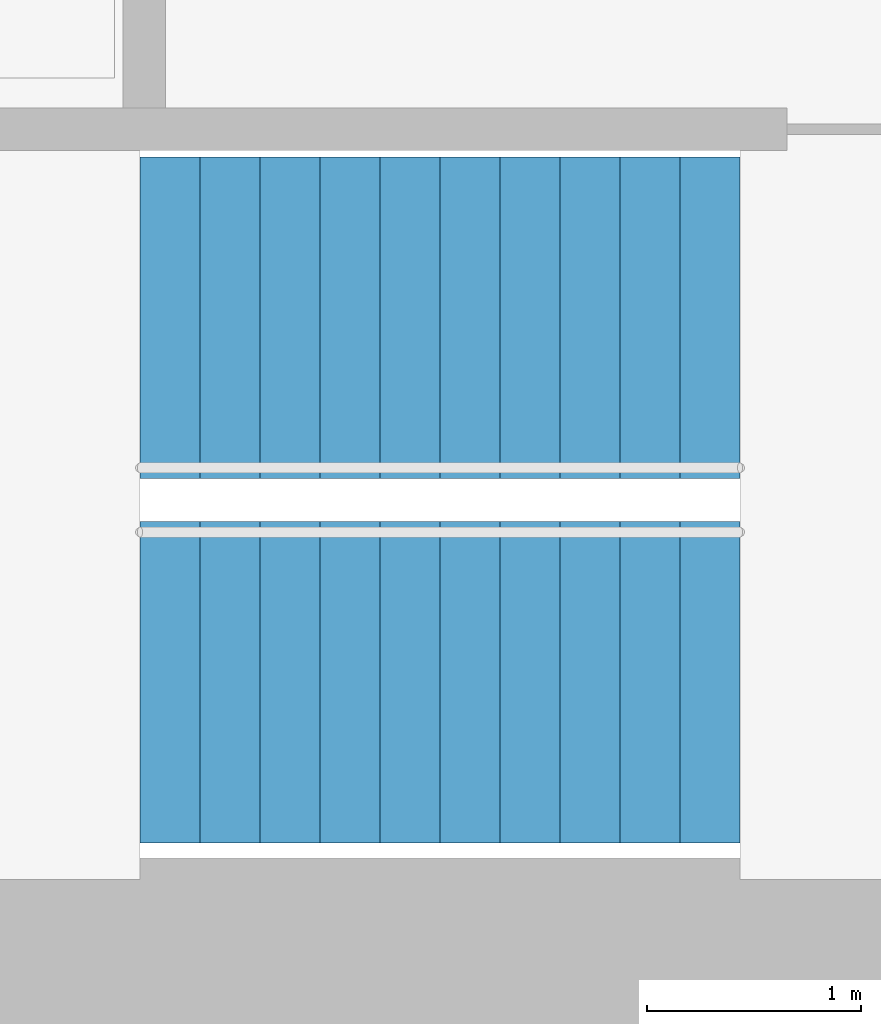
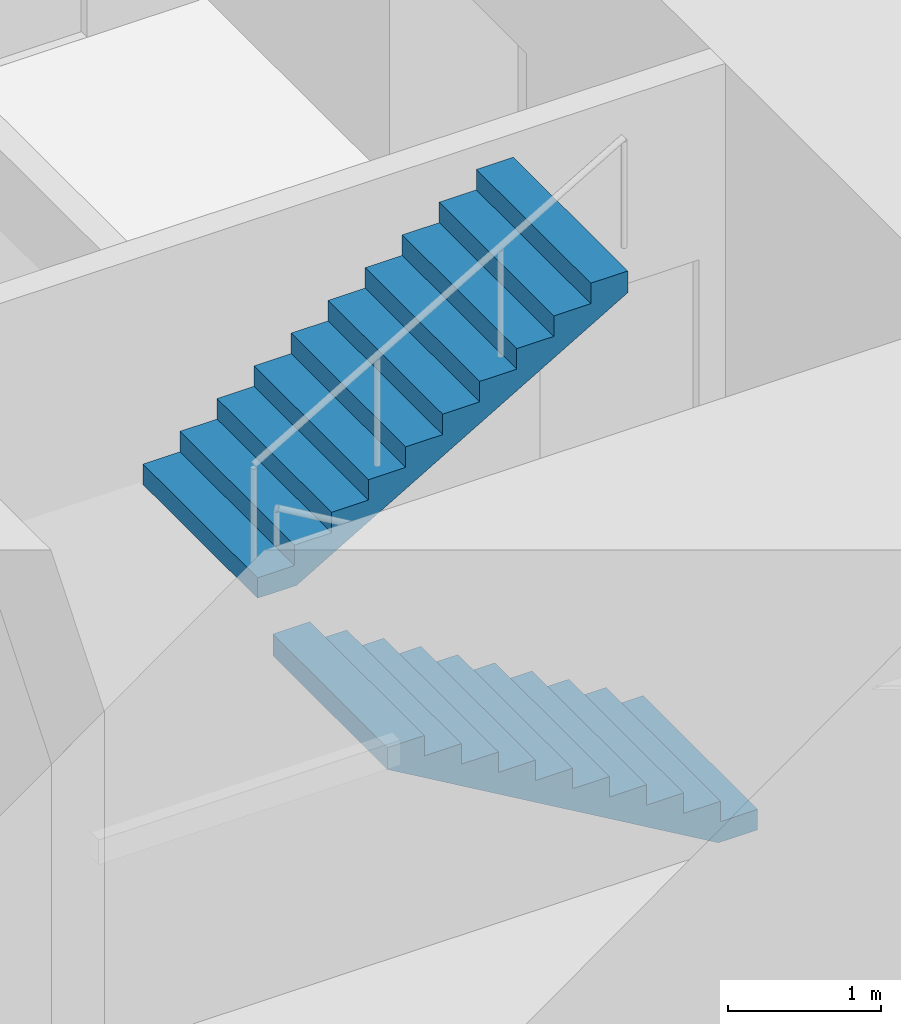
# One storey, part 14 of 15: 2 stair flights, 1 element without a shape of its own.
"""IFC4 building model written with IfcOpenShell, lengths in metres."""

from ifc_helpers import new_model, si_unit, direction, frame, origin, place, context, subcontext, project, spatial, triangles, material, type_object, element, aggregate, save


model = new_model("IFC4")

# Units and contexts
model_context = context("Model", 3, precision=1e-05, world=origin(), true_north=direction((0.0, 1.0)))
body_context = subcontext(model_context, "Body", "Model", "MODEL_VIEW")
ifc_project = project(units=[si_unit("LENGTHUNIT", "METRE"), si_unit("AREAUNIT", "SQUARE_METRE"), si_unit("VOLUMEUNIT", "CUBIC_METRE"), si_unit("PLANEANGLEUNIT", "RADIAN"), si_unit("MASSUNIT", "GRAM", prefix="KILO")], contexts=[model_context])

# Site, building, storey
site_placement = place(None, origin())
site = spatial("IfcSite", under=ifc_project, at=site_placement, CompositionType="ELEMENT")
building_placement = place(site_placement, origin())
building = spatial("IfcBuilding", under=site, at=building_placement, Name="Lantaw Convention Tower", CompositionType="ELEMENT")
storey_placement = place(building_placement, frame((0.0, 0.0, 87.39990234375)))
storey = spatial("IfcBuildingStorey", under=building, at=storey_placement, Name="L20", CompositionType="ELEMENT", Elevation=87.39990234375)

# Stair, stair flights
ifc_material = material(Name="Concrete C35/45", Category="concrete")
stair_type = type_object("IfcStairType", Name="Exit stair 1500 riser 163.64 in 2 flights", PredefinedType="HALF_TURN_STAIR", material=ifc_material)
stair_placement = place(storey_placement, origin())
stair = element("IfcStair", 1, at=stair_placement, inside=storey, type_object=stair_type, Name="Exit stair S2 L20", PredefinedType="HALF_TURN_STAIR")
stair_flight_type = type_object("IfcStairFlightType", Name="Stair flight 1500 riser 163.64", PredefinedType="STRAIGHT", material=ifc_material)
stair_flight_1_placement = place(storey_placement, frame((10.580078125, -5.97998046875, 0.0), z_axis=(0.0, 0.0, 1.0), x_axis=(-1.0, 0.0, 0.0)))
stair_flight_1 = element("IfcStairFlight", 2, at=stair_flight_1_placement, type_object=stair_flight_type, Name="S2 flight 1", NumberOfRisers=11, NumberOfTreads=10, PredefinedType="STRAIGHT", RiserHeight=0.163636364, TreadLength=0.28, context=body_context, shape_type="Tessellation", body=[
    triangles([(0.0, 0.75, 0.0), (0.0, 0.75, 0.163636364), (0.28, 0.75, 0.0), (0.28, 0.75, 0.163636364), (0.28, 0.75, 0.327272728), (0.2970904571225277, 0.75, 0.0), (0.2970904571225277, 0.75, 0.327272728), (0.56, 0.75, 0.1536484344906131), (0.56, 0.75, 0.327272728), (0.56, 0.75, 0.490909092), (0.8400000000000001, 0.75, 0.3172847984906131), (0.8400000000000001, 0.75, 0.490909092), (0.8400000000000001, 0.75, 0.654545456), (1.12, 0.75, 0.4809211624906131), (1.12, 0.75, 0.654545456), (1.12, 0.75, 0.8181818200000001), (1.4000000000000001, 0.75, 0.6445575264906132), (1.4000000000000001, 0.75, 0.8181818200000001), (1.4000000000000001, 0.75, 0.981818184), (1.6800000000000002, 0.75, 0.8081938904906131), (1.6800000000000002, 0.75, 0.981818184), (1.6800000000000002, 0.75, 1.145454548), (1.9600000000000002, 0.75, 0.9718302544906131), (1.9600000000000002, 0.75, 1.145454548), (1.9600000000000002, 0.75, 1.309090912), (2.24, 0.75, 1.135466618490613), (2.24, 0.75, 1.309090912), (2.24, 0.75, 1.472727276), (2.5200000000000005, 0.75, 1.2991029824906133), (2.5200000000000005, 0.75, 1.472727276), (2.5200000000000005, 0.75, 1.6363636400000001), (2.8000000000000003, 0.75, 1.462739346490613), (2.8000000000000003, 0.75, 1.6363636400000001), (0.0, -0.75, 0.0), (0.0, -0.75, 0.163636364), (0.28, -0.75, 0.0), (0.28, -0.75, 0.163636364), (0.28, -0.75, 0.327272728), (0.2970904571225277, -0.75, 0.0), (0.2970904571225277, -0.75, 0.327272728), (0.56, -0.75, 0.1536484344906131), (0.56, -0.75, 0.327272728), (0.56, -0.75, 0.490909092), (0.8400000000000001, -0.75, 0.3172847984906131), (0.8400000000000001, -0.75, 0.490909092), (0.8400000000000001, -0.75, 0.654545456), (1.12, -0.75, 0.4809211624906131), (1.12, -0.75, 0.654545456), (1.12, -0.75, 0.8181818200000001), (1.4000000000000001, -0.75, 0.6445575264906132), (1.4000000000000001, -0.75, 0.8181818200000001), (1.4000000000000001, -0.75, 0.981818184), (1.6800000000000002, -0.75, 0.8081938904906131), (1.6800000000000002, -0.75, 0.981818184), (1.6800000000000002, -0.75, 1.145454548), (1.9600000000000002, -0.75, 0.9718302544906131), (1.9600000000000002, -0.75, 1.145454548), (1.9600000000000002, -0.75, 1.309090912), (2.24, -0.75, 1.135466618490613), (2.24, -0.75, 1.309090912), (2.24, -0.75, 1.472727276), (2.5200000000000005, -0.75, 1.2991029824906133), (2.5200000000000005, -0.75, 1.472727276), (2.5200000000000005, -0.75, 1.6363636400000001), (2.8000000000000003, -0.75, 1.462739346490613), (2.8000000000000003, -0.75, 1.6363636400000001), (0.0, 0.15000000000000002, 0.163636364), (0.0, 0.15000000000000002, 0.0), (0.0, 0.0, 0.163636364), (0.0, 0.0, 0.0), (0.0, -0.15000000000000002, 0.163636364), (0.0, -0.15000000000000002, 0.0), (0.28, 0.15000000000000002, 0.327272728), (0.28, 0.15000000000000002, 0.163636364), (0.28, 0.0, 0.327272728), (0.28, 0.0, 0.163636364), (0.28, -0.15000000000000002, 0.327272728), (0.28, -0.15000000000000002, 0.163636364), (0.56, 0.15000000000000002, 0.490909092), (0.56, 0.15000000000000002, 0.327272728), (0.56, 0.0, 0.490909092), (0.56, 0.0, 0.327272728), (0.56, -0.15000000000000002, 0.490909092), (0.56, -0.15000000000000002, 0.327272728), (0.8400000000000001, 0.15000000000000002, 0.654545456), (0.8400000000000001, 0.15000000000000002, 0.490909092), (0.8400000000000001, 0.0, 0.654545456), (0.8400000000000001, 0.0, 0.490909092), (0.8400000000000001, -0.15000000000000002, 0.654545456), (0.8400000000000001, -0.15000000000000002, 0.490909092), (1.12, 0.15000000000000002, 0.8181818200000001), (1.12, 0.15000000000000002, 0.654545456), (1.12, 0.0, 0.8181818200000001), (1.12, 0.0, 0.654545456), (1.12, -0.15000000000000002, 0.8181818200000001), (1.12, -0.15000000000000002, 0.654545456), (1.4000000000000001, 0.15000000000000002, 0.981818184), (1.4000000000000001, 0.15000000000000002, 0.8181818200000001), (1.4000000000000001, 0.0, 0.981818184), (1.4000000000000001, 0.0, 0.8181818200000001), (1.4000000000000001, -0.15000000000000002, 0.981818184), (1.4000000000000001, -0.15000000000000002, 0.8181818200000001), (1.6800000000000002, 0.15000000000000002, 1.145454548), (1.6800000000000002, 0.15000000000000002, 0.981818184), (1.6800000000000002, 0.0, 1.145454548), (1.6800000000000002, 0.0, 0.981818184), (1.6800000000000002, -0.15000000000000002, 1.145454548), (1.6800000000000002, -0.15000000000000002, 0.981818184), (1.9600000000000002, 0.15000000000000002, 1.309090912), (1.9600000000000002, 0.15000000000000002, 1.145454548), (1.9600000000000002, 0.0, 1.309090912), (1.9600000000000002, 0.0, 1.145454548), (1.9600000000000002, -0.15000000000000002, 1.309090912), (1.9600000000000002, -0.15000000000000002, 1.145454548), (2.24, 0.15000000000000002, 1.472727276), (2.24, 0.15000000000000002, 1.309090912), (2.24, 0.0, 1.472727276), (2.24, 0.0, 1.309090912), (2.24, -0.15000000000000002, 1.472727276), (2.24, -0.15000000000000002, 1.309090912), (2.5200000000000005, 0.15000000000000002, 1.6363636400000001), (2.5200000000000005, 0.15000000000000002, 1.472727276), (2.5200000000000005, 0.0, 1.6363636400000001), (2.5200000000000005, 0.0, 1.472727276), (2.5200000000000005, -0.15000000000000002, 1.6363636400000001), (2.5200000000000005, -0.15000000000000002, 1.472727276), (0.2970904571225277, 0.15000000000000002, 0.327272728), (0.2970904571225277, 0.0, 0.327272728), (0.2970904571225277, -0.15000000000000002, 0.327272728), (2.8000000000000003, 0.15000000000000002, 1.6363636400000001), (2.8000000000000003, 0.0, 1.6363636400000001), (2.8000000000000003, -0.15000000000000002, 1.6363636400000001), (2.8000000000000003, 0.15000000000000002, 1.462739346490613), (2.8000000000000003, 0.0, 1.462739346490613), (2.8000000000000003, -0.15000000000000002, 1.462739346490613), (2.5200000000000005, 0.15000000000000002, 1.2991029824906133), (2.5200000000000005, 0.0, 1.2991029824906133), (2.5200000000000005, -0.15000000000000002, 1.2991029824906133), (2.24, 0.15000000000000002, 1.135466618490613), (2.24, 0.0, 1.135466618490613), (2.24, -0.15000000000000002, 1.135466618490613), (1.9600000000000002, 0.15000000000000002, 0.9718302544906131), (1.9600000000000002, 0.0, 0.9718302544906131), (1.9600000000000002, -0.15000000000000002, 0.9718302544906131), (1.6800000000000002, 0.15000000000000002, 0.8081938904906131), (1.6800000000000002, 0.0, 0.8081938904906131), (1.6800000000000002, -0.15000000000000002, 0.8081938904906131), (1.4000000000000001, 0.15000000000000002, 0.6445575264906132), (1.4000000000000001, 0.0, 0.6445575264906132), (1.4000000000000001, -0.15000000000000002, 0.6445575264906132), (1.12, 0.15000000000000002, 0.4809211624906131), (1.12, 0.0, 0.4809211624906131), (1.12, -0.15000000000000002, 0.4809211624906131), (0.8400000000000001, 0.15000000000000002, 0.3172847984906131), (0.8400000000000001, 0.0, 0.3172847984906131), (0.8400000000000001, -0.15000000000000002, 0.3172847984906131), (0.56, 0.15000000000000002, 0.1536484344906131), (0.56, 0.0, 0.1536484344906131), (0.56, -0.15000000000000002, 0.1536484344906131), (0.2970904571225277, 0.15000000000000002, 0.0), (0.2970904571225277, 0.0, 0.0), (0.2970904571225277, -0.15000000000000002, 0.0), (0.28, 0.15000000000000002, 0.0), (0.28, 0.0, 0.0), (0.28, -0.15000000000000002, 0.0)], [[1, 4, 3], [1, 2, 4], [3, 4, 6], [4, 7, 6], [4, 5, 7], [6, 9, 8], [6, 7, 9], [8, 9, 11], [9, 12, 11], [9, 10, 12], [11, 12, 14], [12, 15, 14], [12, 13, 15], [14, 15, 17], [15, 18, 17], [15, 16, 18], [17, 18, 20], [18, 21, 20], [18, 19, 21], [20, 21, 23], [21, 24, 23], [21, 22, 24], [23, 24, 26], [24, 27, 26], [24, 25, 27], [26, 27, 29], [27, 30, 29], [27, 28, 30], [29, 30, 32], [30, 33, 32], [30, 31, 33], [34, 36, 37], [34, 37, 35], [36, 39, 37], [37, 39, 40], [37, 40, 38], [39, 41, 42], [39, 42, 40], [41, 44, 42], [42, 44, 45], [42, 45, 43], [44, 47, 45], [45, 47, 48], [45, 48, 46], [47, 50, 48], [48, 50, 51], [48, 51, 49], [50, 53, 51], [51, 53, 54], [51, 54, 52], [53, 56, 54], [54, 56, 57], [54, 57, 55], [56, 59, 57], [57, 59, 60], [57, 60, 58], [59, 62, 60], [60, 62, 63], [60, 63, 61], [62, 65, 63], [63, 65, 66], [63, 66, 64], [1, 67, 2], [1, 68, 67], [68, 69, 67], [68, 70, 69], [70, 71, 69], [70, 72, 71], [72, 35, 71], [72, 34, 35], [4, 73, 5], [4, 74, 73], [74, 75, 73], [74, 76, 75], [76, 77, 75], [76, 78, 77], [78, 38, 77], [78, 37, 38], [9, 79, 10], [9, 80, 79], [80, 81, 79], [80, 82, 81], [82, 83, 81], [82, 84, 83], [84, 43, 83], [84, 42, 43], [12, 85, 13], [12, 86, 85], [86, 87, 85], [86, 88, 87], [88, 89, 87], [88, 90, 89], [90, 46, 89], [90, 45, 46], [15, 91, 16], [15, 92, 91], [92, 93, 91], [92, 94, 93], [94, 95, 93], [94, 96, 95], [96, 49, 95], [96, 48, 49], [18, 97, 19], [18, 98, 97], [98, 99, 97], [98, 100, 99], [100, 101, 99], [100, 102, 101], [102, 52, 101], [102, 51, 52], [21, 103, 22], [21, 104, 103], [104, 105, 103], [104, 106, 105], [106, 107, 105], [106, 108, 107], [108, 55, 107], [108, 54, 55], [24, 109, 25], [24, 110, 109], [110, 111, 109], [110, 112, 111], [112, 113, 111], [112, 114, 113], [114, 58, 113], [114, 57, 58], [27, 115, 28], [27, 116, 115], [116, 117, 115], [116, 118, 117], [118, 119, 117], [118, 120, 119], [120, 61, 119], [120, 60, 61], [30, 121, 31], [30, 122, 121], [122, 123, 121], [122, 124, 123], [124, 125, 123], [124, 126, 125], [126, 64, 125], [126, 63, 64], [2, 74, 4], [2, 67, 74], [67, 76, 74], [67, 69, 76], [69, 78, 76], [69, 71, 78], [71, 37, 78], [71, 35, 37], [5, 127, 7], [5, 73, 127], [73, 128, 127], [73, 75, 128], [75, 129, 128], [75, 77, 129], [77, 40, 129], [77, 38, 40], [7, 80, 9], [7, 127, 80], [127, 82, 80], [127, 128, 82], [128, 84, 82], [128, 129, 84], [129, 42, 84], [129, 40, 42], [10, 86, 12], [10, 79, 86], [79, 88, 86], [79, 81, 88], [81, 90, 88], [81, 83, 90], [83, 45, 90], [83, 43, 45], [13, 92, 15], [13, 85, 92], [85, 94, 92], [85, 87, 94], [87, 96, 94], [87, 89, 96], [89, 48, 96], [89, 46, 48], [16, 98, 18], [16, 91, 98], [91, 100, 98], [91, 93, 100], [93, 102, 100], [93, 95, 102], [95, 51, 102], [95, 49, 51], [19, 104, 21], [19, 97, 104], [97, 106, 104], [97, 99, 106], [99, 108, 106], [99, 101, 108], [101, 54, 108], [101, 52, 54], [22, 110, 24], [22, 103, 110], [103, 112, 110], [103, 105, 112], [105, 114, 112], [105, 107, 114], [107, 57, 114], [107, 55, 57], [25, 116, 27], [25, 109, 116], [109, 118, 116], [109, 111, 118], [111, 120, 118], [111, 113, 120], [113, 60, 120], [113, 58, 60], [28, 122, 30], [28, 115, 122], [115, 124, 122], [115, 117, 124], [117, 126, 124], [117, 119, 126], [119, 63, 126], [119, 61, 63], [31, 130, 33], [31, 121, 130], [121, 131, 130], [121, 123, 131], [123, 132, 131], [123, 125, 132], [125, 66, 132], [125, 64, 66], [33, 133, 32], [33, 130, 133], [130, 134, 133], [130, 131, 134], [131, 135, 134], [131, 132, 135], [132, 65, 135], [132, 66, 65], [32, 136, 29], [32, 133, 136], [133, 137, 136], [133, 134, 137], [134, 138, 137], [134, 135, 138], [135, 62, 138], [135, 65, 62], [29, 139, 26], [29, 136, 139], [136, 140, 139], [136, 137, 140], [137, 141, 140], [137, 138, 141], [138, 59, 141], [138, 62, 59], [26, 142, 23], [26, 139, 142], [139, 143, 142], [139, 140, 143], [140, 144, 143], [140, 141, 144], [141, 56, 144], [141, 59, 56], [23, 145, 20], [23, 142, 145], [142, 146, 145], [142, 143, 146], [143, 147, 146], [143, 144, 147], [144, 53, 147], [144, 56, 53], [20, 148, 17], [20, 145, 148], [145, 149, 148], [145, 146, 149], [146, 150, 149], [146, 147, 150], [147, 50, 150], [147, 53, 50], [17, 151, 14], [17, 148, 151], [148, 152, 151], [148, 149, 152], [149, 153, 152], [149, 150, 153], [150, 47, 153], [150, 50, 47], [14, 154, 11], [14, 151, 154], [151, 155, 154], [151, 152, 155], [152, 156, 155], [152, 153, 156], [153, 44, 156], [153, 47, 44], [11, 157, 8], [11, 154, 157], [154, 158, 157], [154, 155, 158], [155, 159, 158], [155, 156, 159], [156, 41, 159], [156, 44, 41], [8, 160, 6], [8, 157, 160], [157, 161, 160], [157, 158, 161], [158, 162, 161], [158, 159, 162], [159, 39, 162], [159, 41, 39], [6, 163, 3], [6, 160, 163], [160, 164, 163], [160, 161, 164], [161, 165, 164], [161, 162, 165], [162, 36, 165], [162, 39, 36], [3, 68, 1], [3, 163, 68], [163, 70, 68], [163, 164, 70], [164, 72, 70], [164, 165, 72], [165, 34, 72], [165, 36, 34]], closed=True),
])
stair_flight_2_placement = place(storey_placement, frame((7.780029296875, -4.280029296875, 1.800048828125), z_axis=(0.0, 0.0, 1.0), x_axis=(1.0, 0.0, 0.0)))
stair_flight_2 = element("IfcStairFlight", 3, at=stair_flight_2_placement, type_object=stair_flight_type, Name="S2 flight 2", NumberOfRisers=11, NumberOfTreads=10, PredefinedType="STRAIGHT", RiserHeight=0.163636364, TreadLength=0.28, context=body_context, shape_type="Tessellation", body=[
    triangles([(0.0, 0.75, 0.0), (0.0, 0.75, 0.163636364), (0.28, 0.75, 0.0), (0.28, 0.75, 0.163636364), (0.28, 0.75, 0.327272728), (0.2970904571225277, 0.75, 0.0), (0.2970904571225277, 0.75, 0.327272728), (0.56, 0.75, 0.1536484344906131), (0.56, 0.75, 0.327272728), (0.56, 0.75, 0.490909092), (0.8400000000000001, 0.75, 0.3172847984906131), (0.8400000000000001, 0.75, 0.490909092), (0.8400000000000001, 0.75, 0.654545456), (1.12, 0.75, 0.4809211624906131), (1.12, 0.75, 0.654545456), (1.12, 0.75, 0.8181818200000001), (1.4000000000000001, 0.75, 0.6445575264906132), (1.4000000000000001, 0.75, 0.8181818200000001), (1.4000000000000001, 0.75, 0.981818184), (1.6800000000000002, 0.75, 0.8081938904906131), (1.6800000000000002, 0.75, 0.981818184), (1.6800000000000002, 0.75, 1.145454548), (1.9600000000000002, 0.75, 0.9718302544906131), (1.9600000000000002, 0.75, 1.145454548), (1.9600000000000002, 0.75, 1.309090912), (2.24, 0.75, 1.135466618490613), (2.24, 0.75, 1.309090912), (2.24, 0.75, 1.472727276), (2.5200000000000005, 0.75, 1.2991029824906133), (2.5200000000000005, 0.75, 1.472727276), (2.5200000000000005, 0.75, 1.6363636400000001), (2.8000000000000003, 0.75, 1.462739346490613), (2.8000000000000003, 0.75, 1.6363636400000001), (0.0, -0.75, 0.0), (0.0, -0.75, 0.163636364), (0.28, -0.75, 0.0), (0.28, -0.75, 0.163636364), (0.28, -0.75, 0.327272728), (0.2970904571225277, -0.75, 0.0), (0.2970904571225277, -0.75, 0.327272728), (0.56, -0.75, 0.1536484344906131), (0.56, -0.75, 0.327272728), (0.56, -0.75, 0.490909092), (0.8400000000000001, -0.75, 0.3172847984906131), (0.8400000000000001, -0.75, 0.490909092), (0.8400000000000001, -0.75, 0.654545456), (1.12, -0.75, 0.4809211624906131), (1.12, -0.75, 0.654545456), (1.12, -0.75, 0.8181818200000001), (1.4000000000000001, -0.75, 0.6445575264906132), (1.4000000000000001, -0.75, 0.8181818200000001), (1.4000000000000001, -0.75, 0.981818184), (1.6800000000000002, -0.75, 0.8081938904906131), (1.6800000000000002, -0.75, 0.981818184), (1.6800000000000002, -0.75, 1.145454548), (1.9600000000000002, -0.75, 0.9718302544906131), (1.9600000000000002, -0.75, 1.145454548), (1.9600000000000002, -0.75, 1.309090912), (2.24, -0.75, 1.135466618490613), (2.24, -0.75, 1.309090912), (2.24, -0.75, 1.472727276), (2.5200000000000005, -0.75, 1.2991029824906133), (2.5200000000000005, -0.75, 1.472727276), (2.5200000000000005, -0.75, 1.6363636400000001), (2.8000000000000003, -0.75, 1.462739346490613), (2.8000000000000003, -0.75, 1.6363636400000001), (0.0, 0.15000000000000002, 0.163636364), (0.0, 0.15000000000000002, 0.0), (0.0, 0.0, 0.163636364), (0.0, 0.0, 0.0), (0.0, -0.15000000000000002, 0.163636364), (0.0, -0.15000000000000002, 0.0), (0.28, 0.15000000000000002, 0.327272728), (0.28, 0.15000000000000002, 0.163636364), (0.28, 0.0, 0.327272728), (0.28, 0.0, 0.163636364), (0.28, -0.15000000000000002, 0.327272728), (0.28, -0.15000000000000002, 0.163636364), (0.56, 0.15000000000000002, 0.490909092), (0.56, 0.15000000000000002, 0.327272728), (0.56, 0.0, 0.490909092), (0.56, 0.0, 0.327272728), (0.56, -0.15000000000000002, 0.490909092), (0.56, -0.15000000000000002, 0.327272728), (0.8400000000000001, 0.15000000000000002, 0.654545456), (0.8400000000000001, 0.15000000000000002, 0.490909092), (0.8400000000000001, 0.0, 0.654545456), (0.8400000000000001, 0.0, 0.490909092), (0.8400000000000001, -0.15000000000000002, 0.654545456), (0.8400000000000001, -0.15000000000000002, 0.490909092), (1.12, 0.15000000000000002, 0.8181818200000001), (1.12, 0.15000000000000002, 0.654545456), (1.12, 0.0, 0.8181818200000001), (1.12, 0.0, 0.654545456), (1.12, -0.15000000000000002, 0.8181818200000001), (1.12, -0.15000000000000002, 0.654545456), (1.4000000000000001, 0.15000000000000002, 0.981818184), (1.4000000000000001, 0.15000000000000002, 0.8181818200000001), (1.4000000000000001, 0.0, 0.981818184), (1.4000000000000001, 0.0, 0.8181818200000001), (1.4000000000000001, -0.15000000000000002, 0.981818184), (1.4000000000000001, -0.15000000000000002, 0.8181818200000001), (1.6800000000000002, 0.15000000000000002, 1.145454548), (1.6800000000000002, 0.15000000000000002, 0.981818184), (1.6800000000000002, 0.0, 1.145454548), (1.6800000000000002, 0.0, 0.981818184), (1.6800000000000002, -0.15000000000000002, 1.145454548), (1.6800000000000002, -0.15000000000000002, 0.981818184), (1.9600000000000002, 0.15000000000000002, 1.309090912), (1.9600000000000002, 0.15000000000000002, 1.145454548), (1.9600000000000002, 0.0, 1.309090912), (1.9600000000000002, 0.0, 1.145454548), (1.9600000000000002, -0.15000000000000002, 1.309090912), (1.9600000000000002, -0.15000000000000002, 1.145454548), (2.24, 0.15000000000000002, 1.472727276), (2.24, 0.15000000000000002, 1.309090912), (2.24, 0.0, 1.472727276), (2.24, 0.0, 1.309090912), (2.24, -0.15000000000000002, 1.472727276), (2.24, -0.15000000000000002, 1.309090912), (2.5200000000000005, 0.15000000000000002, 1.6363636400000001), (2.5200000000000005, 0.15000000000000002, 1.472727276), (2.5200000000000005, 0.0, 1.6363636400000001), (2.5200000000000005, 0.0, 1.472727276), (2.5200000000000005, -0.15000000000000002, 1.6363636400000001), (2.5200000000000005, -0.15000000000000002, 1.472727276), (0.2970904571225277, 0.15000000000000002, 0.327272728), (0.2970904571225277, 0.0, 0.327272728), (0.2970904571225277, -0.15000000000000002, 0.327272728), (2.8000000000000003, 0.15000000000000002, 1.6363636400000001), (2.8000000000000003, 0.0, 1.6363636400000001), (2.8000000000000003, -0.15000000000000002, 1.6363636400000001), (2.8000000000000003, 0.15000000000000002, 1.462739346490613), (2.8000000000000003, 0.0, 1.462739346490613), (2.8000000000000003, -0.15000000000000002, 1.462739346490613), (2.5200000000000005, 0.15000000000000002, 1.2991029824906133), (2.5200000000000005, 0.0, 1.2991029824906133), (2.5200000000000005, -0.15000000000000002, 1.2991029824906133), (2.24, 0.15000000000000002, 1.135466618490613), (2.24, 0.0, 1.135466618490613), (2.24, -0.15000000000000002, 1.135466618490613), (1.9600000000000002, 0.15000000000000002, 0.9718302544906131), (1.9600000000000002, 0.0, 0.9718302544906131), (1.9600000000000002, -0.15000000000000002, 0.9718302544906131), (1.6800000000000002, 0.15000000000000002, 0.8081938904906131), (1.6800000000000002, 0.0, 0.8081938904906131), (1.6800000000000002, -0.15000000000000002, 0.8081938904906131), (1.4000000000000001, 0.15000000000000002, 0.6445575264906132), (1.4000000000000001, 0.0, 0.6445575264906132), (1.4000000000000001, -0.15000000000000002, 0.6445575264906132), (1.12, 0.15000000000000002, 0.4809211624906131), (1.12, 0.0, 0.4809211624906131), (1.12, -0.15000000000000002, 0.4809211624906131), (0.8400000000000001, 0.15000000000000002, 0.3172847984906131), (0.8400000000000001, 0.0, 0.3172847984906131), (0.8400000000000001, -0.15000000000000002, 0.3172847984906131), (0.56, 0.15000000000000002, 0.1536484344906131), (0.56, 0.0, 0.1536484344906131), (0.56, -0.15000000000000002, 0.1536484344906131), (0.2970904571225277, 0.15000000000000002, 0.0), (0.2970904571225277, 0.0, 0.0), (0.2970904571225277, -0.15000000000000002, 0.0), (0.28, 0.15000000000000002, 0.0), (0.28, 0.0, 0.0), (0.28, -0.15000000000000002, 0.0)], [[1, 4, 3], [1, 2, 4], [3, 4, 6], [4, 7, 6], [4, 5, 7], [6, 9, 8], [6, 7, 9], [8, 9, 11], [9, 12, 11], [9, 10, 12], [11, 12, 14], [12, 15, 14], [12, 13, 15], [14, 15, 17], [15, 18, 17], [15, 16, 18], [17, 18, 20], [18, 21, 20], [18, 19, 21], [20, 21, 23], [21, 24, 23], [21, 22, 24], [23, 24, 26], [24, 27, 26], [24, 25, 27], [26, 27, 29], [27, 30, 29], [27, 28, 30], [29, 30, 32], [30, 33, 32], [30, 31, 33], [34, 36, 37], [34, 37, 35], [36, 39, 37], [37, 39, 40], [37, 40, 38], [39, 41, 42], [39, 42, 40], [41, 44, 42], [42, 44, 45], [42, 45, 43], [44, 47, 45], [45, 47, 48], [45, 48, 46], [47, 50, 48], [48, 50, 51], [48, 51, 49], [50, 53, 51], [51, 53, 54], [51, 54, 52], [53, 56, 54], [54, 56, 57], [54, 57, 55], [56, 59, 57], [57, 59, 60], [57, 60, 58], [59, 62, 60], [60, 62, 63], [60, 63, 61], [62, 65, 63], [63, 65, 66], [63, 66, 64], [1, 67, 2], [1, 68, 67], [68, 69, 67], [68, 70, 69], [70, 71, 69], [70, 72, 71], [72, 35, 71], [72, 34, 35], [4, 73, 5], [4, 74, 73], [74, 75, 73], [74, 76, 75], [76, 77, 75], [76, 78, 77], [78, 38, 77], [78, 37, 38], [9, 79, 10], [9, 80, 79], [80, 81, 79], [80, 82, 81], [82, 83, 81], [82, 84, 83], [84, 43, 83], [84, 42, 43], [12, 85, 13], [12, 86, 85], [86, 87, 85], [86, 88, 87], [88, 89, 87], [88, 90, 89], [90, 46, 89], [90, 45, 46], [15, 91, 16], [15, 92, 91], [92, 93, 91], [92, 94, 93], [94, 95, 93], [94, 96, 95], [96, 49, 95], [96, 48, 49], [18, 97, 19], [18, 98, 97], [98, 99, 97], [98, 100, 99], [100, 101, 99], [100, 102, 101], [102, 52, 101], [102, 51, 52], [21, 103, 22], [21, 104, 103], [104, 105, 103], [104, 106, 105], [106, 107, 105], [106, 108, 107], [108, 55, 107], [108, 54, 55], [24, 109, 25], [24, 110, 109], [110, 111, 109], [110, 112, 111], [112, 113, 111], [112, 114, 113], [114, 58, 113], [114, 57, 58], [27, 115, 28], [27, 116, 115], [116, 117, 115], [116, 118, 117], [118, 119, 117], [118, 120, 119], [120, 61, 119], [120, 60, 61], [30, 121, 31], [30, 122, 121], [122, 123, 121], [122, 124, 123], [124, 125, 123], [124, 126, 125], [126, 64, 125], [126, 63, 64], [2, 74, 4], [2, 67, 74], [67, 76, 74], [67, 69, 76], [69, 78, 76], [69, 71, 78], [71, 37, 78], [71, 35, 37], [5, 127, 7], [5, 73, 127], [73, 128, 127], [73, 75, 128], [75, 129, 128], [75, 77, 129], [77, 40, 129], [77, 38, 40], [7, 80, 9], [7, 127, 80], [127, 82, 80], [127, 128, 82], [128, 84, 82], [128, 129, 84], [129, 42, 84], [129, 40, 42], [10, 86, 12], [10, 79, 86], [79, 88, 86], [79, 81, 88], [81, 90, 88], [81, 83, 90], [83, 45, 90], [83, 43, 45], [13, 92, 15], [13, 85, 92], [85, 94, 92], [85, 87, 94], [87, 96, 94], [87, 89, 96], [89, 48, 96], [89, 46, 48], [16, 98, 18], [16, 91, 98], [91, 100, 98], [91, 93, 100], [93, 102, 100], [93, 95, 102], [95, 51, 102], [95, 49, 51], [19, 104, 21], [19, 97, 104], [97, 106, 104], [97, 99, 106], [99, 108, 106], [99, 101, 108], [101, 54, 108], [101, 52, 54], [22, 110, 24], [22, 103, 110], [103, 112, 110], [103, 105, 112], [105, 114, 112], [105, 107, 114], [107, 57, 114], [107, 55, 57], [25, 116, 27], [25, 109, 116], [109, 118, 116], [109, 111, 118], [111, 120, 118], [111, 113, 120], [113, 60, 120], [113, 58, 60], [28, 122, 30], [28, 115, 122], [115, 124, 122], [115, 117, 124], [117, 126, 124], [117, 119, 126], [119, 63, 126], [119, 61, 63], [31, 130, 33], [31, 121, 130], [121, 131, 130], [121, 123, 131], [123, 132, 131], [123, 125, 132], [125, 66, 132], [125, 64, 66], [33, 133, 32], [33, 130, 133], [130, 134, 133], [130, 131, 134], [131, 135, 134], [131, 132, 135], [132, 65, 135], [132, 66, 65], [32, 136, 29], [32, 133, 136], [133, 137, 136], [133, 134, 137], [134, 138, 137], [134, 135, 138], [135, 62, 138], [135, 65, 62], [29, 139, 26], [29, 136, 139], [136, 140, 139], [136, 137, 140], [137, 141, 140], [137, 138, 141], [138, 59, 141], [138, 62, 59], [26, 142, 23], [26, 139, 142], [139, 143, 142], [139, 140, 143], [140, 144, 143], [140, 141, 144], [141, 56, 144], [141, 59, 56], [23, 145, 20], [23, 142, 145], [142, 146, 145], [142, 143, 146], [143, 147, 146], [143, 144, 147], [144, 53, 147], [144, 56, 53], [20, 148, 17], [20, 145, 148], [145, 149, 148], [145, 146, 149], [146, 150, 149], [146, 147, 150], [147, 50, 150], [147, 53, 50], [17, 151, 14], [17, 148, 151], [148, 152, 151], [148, 149, 152], [149, 153, 152], [149, 150, 153], [150, 47, 153], [150, 50, 47], [14, 154, 11], [14, 151, 154], [151, 155, 154], [151, 152, 155], [152, 156, 155], [152, 153, 156], [153, 44, 156], [153, 47, 44], [11, 157, 8], [11, 154, 157], [154, 158, 157], [154, 155, 158], [155, 159, 158], [155, 156, 159], [156, 41, 159], [156, 44, 41], [8, 160, 6], [8, 157, 160], [157, 161, 160], [157, 158, 161], [158, 162, 161], [158, 159, 162], [159, 39, 162], [159, 41, 39], [6, 163, 3], [6, 160, 163], [160, 164, 163], [160, 161, 164], [161, 165, 164], [161, 162, 165], [162, 36, 165], [162, 39, 36], [3, 68, 1], [3, 163, 68], [163, 70, 68], [163, 164, 70], [164, 72, 70], [164, 165, 72], [165, 34, 72], [165, 36, 34]], closed=True),
])
aggregate(stair, [stair_flight_1, stair_flight_2])

save(model, "model.ifc")
